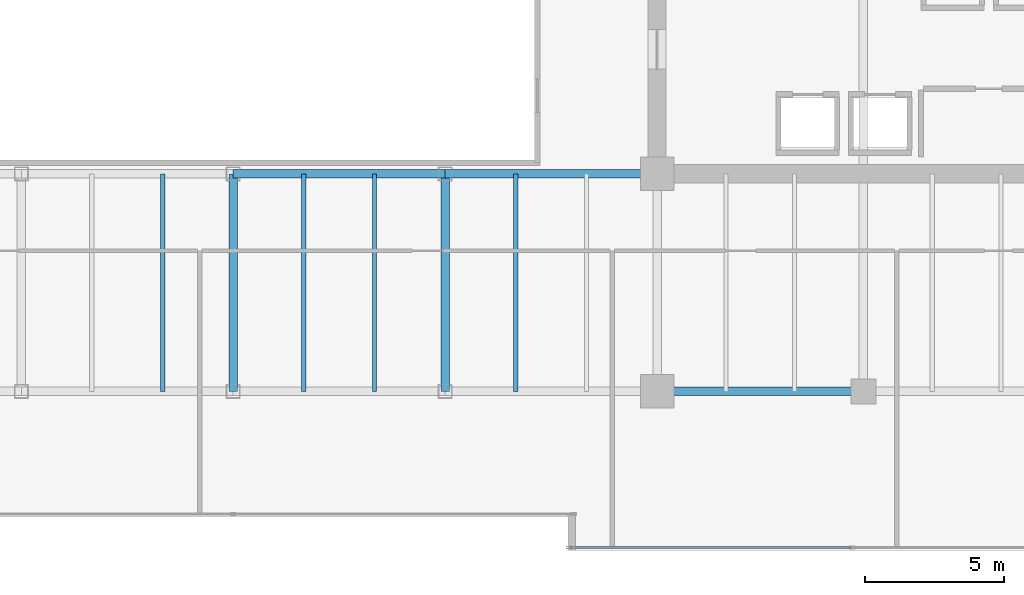
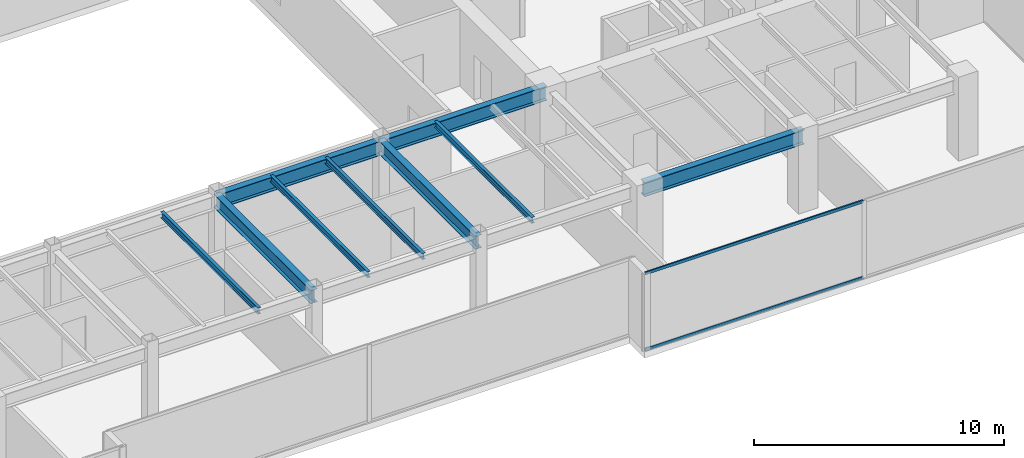
# One storey, part 11 of 30: 9 beams, 2 members, 1 element without a shape of its own.
"""IFC4 building model written with IfcOpenShell, lengths in metres."""

from ifc_helpers import new_model, si_unit, direction, frame, origin, origin_2d, place, context, subcontext, project, spatial, hollow_rectangle, i_section, extrude, source, transform, mapped, material, layer, layer_set, material_profile, profile_set, type_object, type_shapes, element, aggregate, save


model = new_model("IFC4")

# Units and contexts
model_context = context("Model", 3, precision=1e-05, world=origin(), true_north=direction((0.0, 1.0)))
body_context = subcontext(model_context, "Body", "Model", "MODEL_VIEW")
ifc_project = project(units=[si_unit("LENGTHUNIT", "METRE"), si_unit("AREAUNIT", "SQUARE_METRE"), si_unit("VOLUMEUNIT", "CUBIC_METRE"), si_unit("PLANEANGLEUNIT", "RADIAN"), si_unit("MASSUNIT", "GRAM", prefix="KILO")], contexts=[model_context])

# Site, building, storey
site_placement = place(None, origin())
site = spatial("IfcSite", under=ifc_project, at=site_placement, CompositionType="ELEMENT")
building_placement = place(site_placement, origin())
building = spatial("IfcBuilding", under=site, at=building_placement, Name="Haelvirn Gate Laboratories", CompositionType="ELEMENT")
storey_placement = place(building_placement, frame((0.0, 0.0, 129.699951171875)))
storey = spatial("IfcBuildingStorey", under=building, at=storey_placement, Name="L31", CompositionType="ELEMENT", Elevation=129.699951171875)

# Beams
ifc_material_1 = material(Name="Steel SM355", Category="steel")
ifc_material_profile_1 = material_profile(ifc_material_1, i_section(OverallWidth=0.300048828125, OverallDepth=0.64990234375, WebThickness=0.012939453125, FlangeThickness=0.02197265625, at=origin_2d()), Name="H-650x300x13x22")
ifc_profile_set_1 = profile_set([ifc_material_profile_1], Name="Steel SM355")
beam_type_1 = type_object("IfcBeamType", Name="BM-G-650", PredefinedType="BEAM", material=ifc_profile_set_1)
shared_shape_1 = source(origin(), body_context, "Body", "SweptSolid", [
    extrude(i_section(OverallWidth=0.300048828125, OverallDepth=0.64990234375, WebThickness=0.012939453125, FlangeThickness=0.02197265625, at=origin_2d()), origin(), (0.0, 0.0, 1.0), 7.800048828125),
])
type_shapes(beam_type_1, [shared_shape_1])
for number, where, z_axis, x_axis, name in (
    (1, (37.39990234375, 7.0, 3.465087890625), (0.0, 1.0, 0.0), (-1.0, 0.0, 0.0), "L31 Frame Girder X37.4 (7.0-14.8)"),
    (2, (45.0, 7.0, 3.465087890625), (0.0, 1.0, 0.0), (-1.0, 0.0, 0.0), "L31 Frame Girder X45.0 (7.0-14.8)"),
):
    element("IfcBeam", number, at=place(storey_placement, frame(where, z_axis=z_axis, x_axis=x_axis)), inside=storey, type_object=beam_type_1, Name=name, PredefinedType="BEAM", context=body_context, shape_type="MappedRepresentation", body=[
        mapped(shared_shape_1, transform((0.0, 0.0, 0.0), scale=1.0)),
    ])
ifc_material_profile_2 = material_profile(ifc_material_1, i_section(OverallWidth=0.300048828125, OverallDepth=0.699951171875, WebThickness=0.012939453125, FlangeThickness=0.02392578125, at=origin_2d()), Name="H-700x300x13x24")
ifc_profile_set_2 = profile_set([ifc_material_profile_2], Name="Steel SM355")
beam_type_2 = type_object("IfcBeamType", Name="BM-G-700", PredefinedType="BEAM", material=ifc_profile_set_2)
shared_shape_2 = source(origin(), body_context, "Body", "SweptSolid", [
    extrude(i_section(OverallWidth=0.300048828125, OverallDepth=0.699951171875, WebThickness=0.012939453125, FlangeThickness=0.02392578125, at=origin_2d()), origin(), (0.0, 0.0, 1.0), 7.39990234375),
])
beam_placement = place(storey_placement, frame((52.60009765625, 7.0, 3.43994140625), z_axis=(1.0, 0.0, 0.0), x_axis=(0.0, 1.0, 0.0)))
element("IfcBeam", 3, at=beam_placement, inside=storey, type_object=beam_type_2, Name="L31 Primary Girder Y7.0 (52.6-60.0)", PredefinedType="BEAM", context=body_context, shape_type="MappedRepresentation", body=[
    mapped(shared_shape_2, transform((0.0, 0.0, 0.0), scale=1.0)),
])
shared_shape_3 = source(origin(), body_context, "Body", "SweptSolid", [
    extrude(i_section(OverallWidth=0.300048828125, OverallDepth=0.699951171875, WebThickness=0.012939453125, FlangeThickness=0.02392578125, at=origin_2d()), origin(), (0.0, 0.0, 1.0), 7.60009765625),
])
type_shapes(beam_type_2, [shared_shape_2, shared_shape_3])
for number, where, z_axis, x_axis, name in (
    (4, (37.39990234375, 14.800048828125, 3.43994140625), (1.0, 0.0, 0.0), (0.0, 1.0, 0.0), "L31 Primary Girder Y14.8 (37.4-45.0)"),
    (5, (45.0, 14.800048828125, 3.43994140625), (1.0, 0.0, 0.0), (0.0, 1.0, 0.0), "L31 Primary Girder Y14.8 (45.0-52.6)"),
):
    element("IfcBeam", number, at=place(storey_placement, frame(where, z_axis=z_axis, x_axis=x_axis)), inside=storey, type_object=beam_type_2, Name=name, PredefinedType="BEAM", context=body_context, shape_type="MappedRepresentation", body=[
        mapped(shared_shape_3, transform((0.0, 0.0, 0.0), scale=1.0)),
    ])
ifc_material_profile_3 = material_profile(ifc_material_1, i_section(OverallWidth=0.14990234375, OverallDepth=0.300048828125, WebThickness=0.006591796875, FlangeThickness=0.009033203125, at=origin_2d()), Name="H-300x150x6.5x9")
ifc_profile_set_3 = profile_set([ifc_material_profile_3], Name="Steel SM355")
beam_type_3 = type_object("IfcBeamType", Name="BM-J-300", PredefinedType="JOIST", material=ifc_profile_set_3)
shared_shape_4 = source(origin(), body_context, "Body", "SweptSolid", [
    extrude(i_section(OverallWidth=0.14990234375, OverallDepth=0.300048828125, WebThickness=0.006591796875, FlangeThickness=0.009033203125, at=origin_2d()), origin(), (0.0, 0.0, 1.0), 7.800048828125),
])
type_shapes(beam_type_3, [shared_shape_4])
for number, where, z_axis, x_axis, name in (
    (6, (34.8701171875, 7.0, 3.64013671875), (0.0, 1.0, 0.0), (-1.0, 0.0, 0.0), "L31 Composite Lab Joist South X34.87"),
    (7, (39.929931640625, 7.0, 3.64013671875), (0.0, 1.0, 0.0), (-1.0, 0.0, 0.0), "L31 Composite Lab Joist South X39.93"),
    (8, (42.469970703125, 7.0, 3.64013671875), (0.0, 1.0, 0.0), (-1.0, 0.0, 0.0), "L31 Composite Lab Joist South X42.47"),
    (9, (47.530029296875, 7.0, 3.64013671875), (0.0, 1.0, 0.0), (-1.0, 0.0, 0.0), "L31 Composite Lab Joist South X47.53"),
):
    element("IfcBeam", number, at=place(storey_placement, frame(where, z_axis=z_axis, x_axis=x_axis)), inside=storey, type_object=beam_type_3, Name=name, PredefinedType="JOIST", context=body_context, shape_type="MappedRepresentation", body=[
        mapped(shared_shape_4, transform((0.0, 0.0, 0.0), scale=1.0)),
    ])

# Curtain wall, members
ifc_material_2 = material(Name="Anodised bronze unitised aluminium & triple low-E glass", Category="aluminium")
ifc_layer = layer(ifc_material_2, 0.179931640625, Name="CW-SYS-3")
ifc_layer_set = layer_set([ifc_layer], Name="Anodised bronze unitised aluminium & triple low-E glass")
curtain_wall_type = type_object("IfcCurtainWallType", Name="CW-SYS-3", PredefinedType="NOTDEFINED", material=ifc_layer_set)
curtain_wall_placement = place(storey_placement, origin())
curtain_wall = element("IfcCurtainWall", 10, at=curtain_wall_placement, inside=storey, type_object=curtain_wall_type, Name="L31 Unitised Curtain Wall CW-L31-P0-E04-1", PredefinedType="NOTDEFINED")
ifc_material_3 = material(Name="Extruded aluminium 6063-T6 (anodised bronze)", Category="aluminium")
ifc_material_profile_4 = material_profile(ifc_material_3, hollow_rectangle(XDim=0.06494140625, YDim=0.139892578125, WallThickness=0.00390625, at=origin_2d()), Name="CWT-140x65x4")
ifc_profile_set_4 = profile_set([ifc_material_profile_4], Name="Extruded aluminium 6063-T6 (anodised bronze)")
member_type = type_object("IfcMemberType", Name="CWT-T140", PredefinedType="USERDEFINED", material=ifc_profile_set_4)
shared_shape_5 = source(origin(), body_context, "Body", "SweptSolid", [
    extrude(hollow_rectangle(XDim=0.06494140625, YDim=0.139892578125, WallThickness=0.00390625, at=origin_2d()), origin(), (0.0, 0.0, 1.0), 10.08740234375),
])
type_shapes(member_type, [shared_shape_5])
member_1_placement = place(storey_placement, frame((49.47509765625, 1.39990234375, 0.032470703125), z_axis=(1.0, 0.0, 0.0), x_axis=(0.0, 1.0, 0.0)))
member_1 = element("IfcMember", 11, at=member_1_placement, type_object=member_type, Name="CW3 transom 1.1", ObjectType="TRANSOM", PredefinedType="USERDEFINED", context=body_context, shape_type="MappedRepresentation", body=[
    mapped(shared_shape_5, transform((0.0, 0.0, 0.0), scale=1.0)),
])
member_2_placement = place(storey_placement, frame((49.47509765625, 1.39990234375, 3.757568359375), z_axis=(1.0, 0.0, 0.0), x_axis=(0.0, 1.0, 0.0)))
member_2 = element("IfcMember", 12, at=member_2_placement, type_object=member_type, Name="CW3 transom 1.2", ObjectType="TRANSOM", PredefinedType="USERDEFINED", context=body_context, shape_type="MappedRepresentation", body=[
    mapped(shared_shape_5, transform((0.0, 0.0, 0.0), scale=1.0)),
])
aggregate(curtain_wall, [member_1, member_2])

save(model, "model.ifc")
